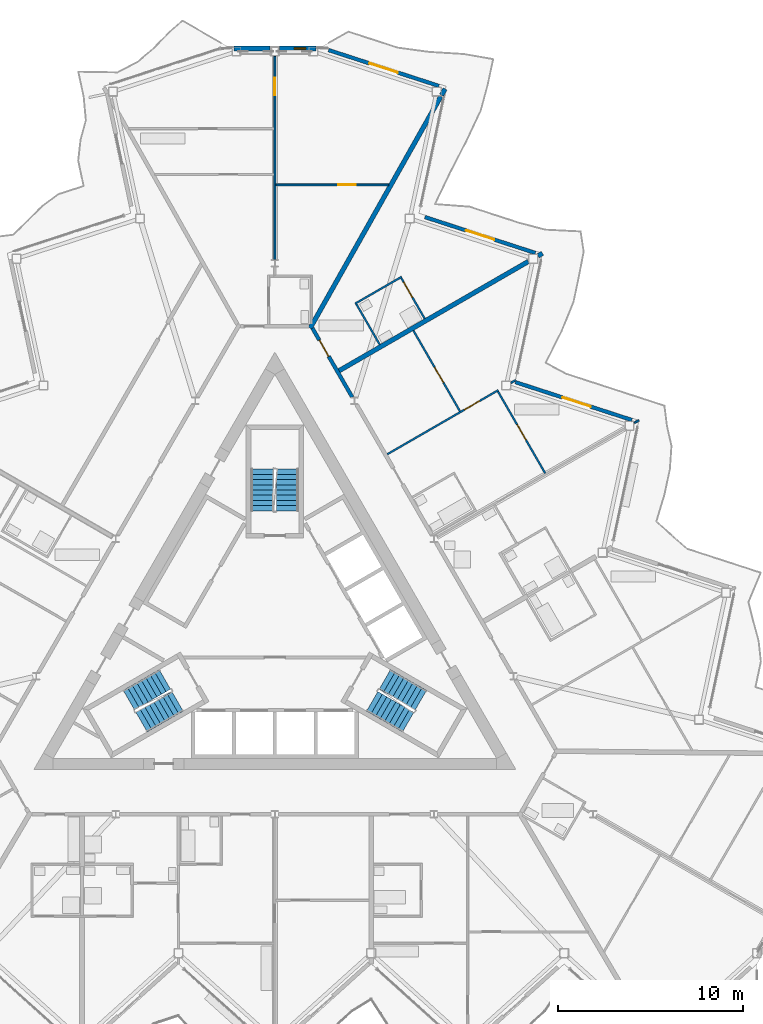
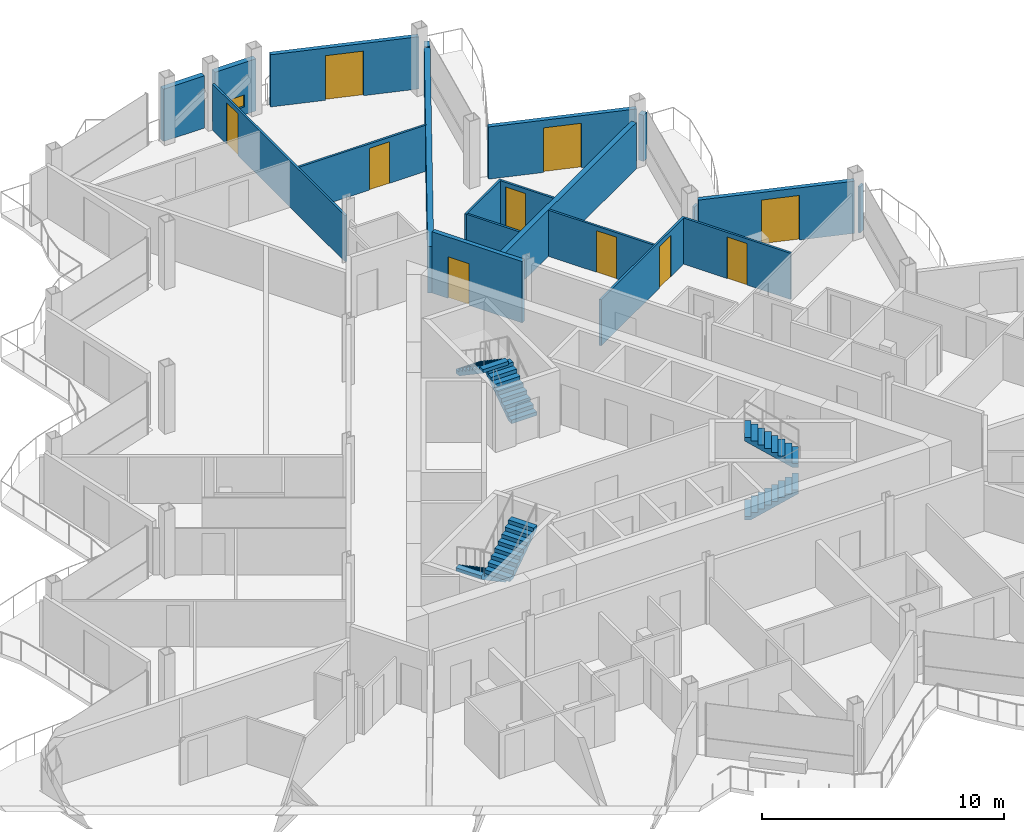
# One storey, part 18 of 26: 20 walls, 10 doors, 6 stair flights, 1 window, 11 openings, 3 elements without a shape of their own.
"""IFC4 building model written with IfcOpenShell, lengths in metres."""

from ifc_helpers import new_model, si_unit, direction, frame, frame_2d, origin, place, context, subcontext, project, spatial, polyline, rectangle, outline, extrude, material, layer, layer_set, type_object, element, fill, aggregate, save


model = new_model("IFC4")

# Units and contexts
model_context = context("Model", 3, precision=1e-05, world=origin(), true_north=direction((0.0, 1.0)))
body_context = subcontext(model_context, "Body", "Model", "MODEL_VIEW")
ifc_project = project(units=[si_unit("LENGTHUNIT", "METRE"), si_unit("AREAUNIT", "SQUARE_METRE"), si_unit("VOLUMEUNIT", "CUBIC_METRE"), si_unit("PLANEANGLEUNIT", "RADIAN"), si_unit("MASSUNIT", "GRAM", prefix="KILO")], contexts=[model_context])

# Site, building, storey
site_placement = place(None, origin())
site = spatial("IfcSite", under=ifc_project, at=site_placement, CompositionType="ELEMENT")
building_placement = place(site_placement, origin())
building = spatial("IfcBuilding", under=site, at=building_placement, Name="Cormorant Prow Tower", CompositionType="ELEMENT")
storey_placement = place(building_placement, frame((0.0, 0.0, 371.199951171875)))
storey = spatial("IfcBuildingStorey", under=building, at=storey_placement, Name="L83", CompositionType="ELEMENT", Elevation=371.199951171875)

# Wall, opening, door
ifc_material_1 = material(Name="Gypsum board corridor wall")
ifc_layer_1 = layer(ifc_material_1, 0.199951171875)
ifc_layer_set_1 = layer_set([ifc_layer_1], Name="Gypsum board corridor wall")
wall_type_1 = type_object("IfcWallType", Name="Corridor wall 200", PredefinedType="PARTITIONING", material=ifc_layer_set_1)
wall_1_placement = place(storey_placement, frame((2.025390625, 16.302978515625, 0.0), z_axis=(0.0, 0.0, 1.0), x_axis=(0.500004215162, -0.866022970146, 0.0)))
wall_1 = element("IfcWall", 1, at=wall_1_placement, inside=storey, type_object=wall_type_1, Name="Corridor wall", PredefinedType="PARTITIONING", context=body_context, shape_type="SweptSolid", body=[
    extrude(rectangle(XDim=4.30029296875, YDim=0.199951171875, at=frame_2d((2.150146484375, 0.0))), origin(), (0.0, 0.0, 1.0), 3.10009765625),
])
opening_1_placement = place(wall_1_placement, frame((0.75, 0.0, 0.0)))
opening_1 = element("IfcOpeningElement", 2, at=opening_1_placement, cuts=wall_1, Name="Opening L83-F35", PredefinedType="OPENING", context=body_context, shape_type="SweptSolid", body=[
    extrude(rectangle(XDim=1.0, YDim=2.10009765625, at=frame_2d((0.5, 1.050048828125))), frame((0.0, 0.10986328125, 0.0), z_axis=(0.0, -1.0, 0.0), x_axis=(1.0, 0.0, 0.0)), (0.0, 0.0, 1.0), 0.219970703125),
])
ifc_material_2 = material(Name="Timber door leaf", Category="wood")
door_type_1 = type_object("IfcDoorType", Name="Flat or room entrance door 1000x2100", OperationType="NOTDEFINED", PredefinedType="DOOR", material=ifc_material_2)
door_1_placement = place(opening_1_placement, origin())
door_1 = element("IfcDoor", 3, at=door_1_placement, inside=storey, type_object=door_type_1, Name="Studio living, kitchen and sleeping room door", OperationType="SINGLE_SWING_RIGHT", OverallHeight=2.10009765625, OverallWidth=1.0, PredefinedType="DOOR", context=body_context, shape_type="SweptSolid", body=[
    extrude(rectangle(XDim=1.0, YDim=2.10009765625, at=frame_2d((0.5, 1.050048828125))), frame((0.0, 0.02490234375, 0.0), z_axis=(0.0, -1.0, 0.0), x_axis=(1.0, 0.0, 0.0)), (0.0, 0.0, 1.0), 0.050048828125),
])
fill(opening_1, door_1)

ifc_material_3 = material(Name="Gypsum board partition")
ifc_layer_2 = layer(ifc_material_3, 0.10009765625)
ifc_layer_set_2 = layer_set([ifc_layer_2], Name="Gypsum board partition")
wall_type_2 = type_object("IfcWallType", Name="Internal partition 100", PredefinedType="PARTITIONING", material=ifc_layer_set_2)
wall_2_placement = place(storey_placement, frame((0.0, 20.008056640625, 0.0), z_axis=(0.0, 0.0, 1.0), x_axis=(0.0, 1.0, 0.0)))
wall_2 = element("IfcWall", 4, at=wall_2_placement, inside=storey, type_object=wall_type_2, Name="Internal partition", PredefinedType="PARTITIONING", context=body_context, shape_type="SweptSolid", body=[
    extrude(rectangle(XDim=10.951416015625, YDim=0.10009765625, at=frame_2d((5.4755859375, 0.0))), origin(), (0.0, 0.0, 1.0), 2.330078125),
])
opening_2_placement = place(wall_2_placement, frame((8.851318359375, 0.0, 0.0)))
opening_2 = element("IfcOpeningElement", 5, at=opening_2_placement, cuts=wall_2, Name="Opening L83-F41", PredefinedType="OPENING", context=body_context, shape_type="SweptSolid", body=[
    extrude(rectangle(XDim=0.949951171875, YDim=2.10009765625, at=frame_2d((0.47509765625, 1.050048828125))), frame((0.0, 0.06005859375, 0.0), z_axis=(0.0, -1.0, 0.0), x_axis=(1.0, 0.0, 0.0)), (0.0, 0.0, 1.0), 0.1201171875),
])
ifc_material_4 = material(Name="Timber door leaf", Category="wood")
door_type_2 = type_object("IfcDoorType", Name="Bathroom door 950x2100", OperationType="NOTDEFINED", PredefinedType="DOOR", material=ifc_material_4)
door_2_placement = place(opening_2_placement, origin())
door_2 = element("IfcDoor", 6, at=door_2_placement, inside=storey, type_object=door_type_2, Name="Dining room door", OperationType="SINGLE_SWING_RIGHT", OverallHeight=2.10009765625, OverallWidth=0.949951171875, PredefinedType="DOOR", context=body_context, shape_type="SweptSolid", body=[
    extrude(rectangle(XDim=0.949951171875, YDim=2.10009765625, at=frame_2d((0.47509765625, 1.050048828125))), frame((0.0, 0.02490234375, 0.0), z_axis=(0.0, -1.0, 0.0), x_axis=(1.0, 0.0, 0.0)), (0.0, 0.0, 1.0), 0.050048828125),
])
fill(opening_2, door_2)

wall_3_placement = place(storey_placement, frame((6.065185546875, 9.506103515625, 0.0), z_axis=(0.0, 0.0, 1.0), x_axis=(0.866029020252, 0.499993736042, 0.0)))
wall_3 = element("IfcWall", 7, at=wall_3_placement, inside=storey, type_object=wall_type_2, Name="Internal partition", PredefinedType="PARTITIONING", context=body_context, shape_type="SweptSolid", body=[
    extrude(rectangle(XDim=6.9072265625, YDim=0.10009765625, at=frame_2d((3.45361328125, 0.0))), origin(), (0.0, 0.0, 1.0), 2.330078125),
])
opening_3_placement = place(wall_3_placement, frame((4.7978515625, 0.0, 0.0)))
opening_3 = element("IfcOpeningElement", 8, at=opening_3_placement, cuts=wall_3, Name="Opening L83-F32", PredefinedType="OPENING", context=body_context, shape_type="SweptSolid", body=[
    extrude(rectangle(XDim=0.949951171875, YDim=2.10009765625, at=frame_2d((0.47509765625, 1.050048828125))), frame((0.0, 0.06005859375, 0.0), z_axis=(0.0, -1.0, 0.0), x_axis=(1.0, 0.0, 0.0)), (0.0, 0.0, 1.0), 0.1201171875),
])
door_3_placement = place(opening_3_placement, origin())
door_3 = element("IfcDoor", 9, at=door_3_placement, inside=storey, type_object=door_type_2, Name="Living room door", OperationType="SINGLE_SWING_LEFT", OverallHeight=2.10009765625, OverallWidth=0.949951171875, PredefinedType="DOOR", context=body_context, shape_type="SweptSolid", body=[
    extrude(rectangle(XDim=0.949951171875, YDim=2.10009765625, at=frame_2d((0.47509765625, 1.050048828125))), frame((0.0, 0.02490234375, 0.0), z_axis=(0.0, -1.0, 0.0), x_axis=(1.0, 0.0, 0.0)), (0.0, 0.0, 1.0), 0.050048828125),
])
fill(opening_3, door_3)

wall_4_placement = place(storey_placement, frame((0.050048828125, 24.03125, 0.0), z_axis=(0.0, 0.0, 1.0), x_axis=(1.0, 0.0, 0.0)))
wall_4 = element("IfcWall", 10, at=wall_4_placement, inside=storey, type_object=wall_type_2, Name="Internal partition", PredefinedType="PARTITIONING", context=body_context, shape_type="SweptSolid", body=[
    extrude(rectangle(XDim=6.085693359375, YDim=0.10009765625, at=frame_2d((3.04296875, 0.0))), origin(), (0.0, 0.0, 1.0), 2.330078125),
])
opening_4_placement = place(wall_4_placement, frame((3.3740234375, 0.0, 0.0)))
opening_4 = element("IfcOpeningElement", 11, at=opening_4_placement, cuts=wall_4, Name="Opening L83-F42", PredefinedType="OPENING", context=body_context, shape_type="SweptSolid", body=[
    extrude(rectangle(XDim=0.949951171875, YDim=2.10009765625, at=frame_2d((0.47509765625, 1.050048828125))), frame((0.0, 0.06005859375, 0.0), z_axis=(0.0, -1.0, 0.0), x_axis=(1.0, 0.0, 0.0)), (0.0, 0.0, 1.0), 0.1201171875),
])
door_4_placement = place(opening_4_placement, origin())
door_4 = element("IfcDoor", 12, at=door_4_placement, inside=storey, type_object=door_type_2, Name="Principal bedroom door", OperationType="SINGLE_SWING_RIGHT", OverallHeight=2.10009765625, OverallWidth=0.949951171875, PredefinedType="DOOR", context=body_context, shape_type="SweptSolid", body=[
    extrude(rectangle(XDim=0.949951171875, YDim=2.10009765625, at=frame_2d((0.47509765625, 1.050048828125))), frame((0.0, 0.02490234375, 0.0), z_axis=(0.0, -1.0, 0.0), x_axis=(1.0, 0.0, 0.0)), (0.0, 0.0, 1.0), 0.050048828125),
])
fill(opening_4, door_4)

wall_5_placement = place(storey_placement, frame((7.4677734375, 16.176025390625, 0.0), z_axis=(0.0, 0.0, 1.0), x_axis=(0.499990214365, -0.86603105345, 0.0)))
wall_5 = element("IfcWall", 13, at=wall_5_placement, inside=storey, type_object=wall_type_2, Name="Internal partition", PredefinedType="PARTITIONING", context=body_context, shape_type="SweptSolid", body=[
    extrude(rectangle(XDim=5.02490234375, YDim=0.10009765625, at=frame_2d((2.512451171875, 0.0))), origin(), (0.0, 0.0, 1.0), 2.330078125),
])
opening_5_placement = place(wall_5_placement, frame((2.29296875, 0.0, 0.0)))
opening_5 = element("IfcOpeningElement", 14, at=opening_5_placement, cuts=wall_5, Name="Opening L83-F33", PredefinedType="OPENING", context=body_context, shape_type="SweptSolid", body=[
    extrude(rectangle(XDim=0.949951171875, YDim=2.10009765625, at=frame_2d((0.47509765625, 1.050048828125))), frame((0.0, 0.06005859375, 0.0), z_axis=(0.0, -1.0, 0.0), x_axis=(1.0, 0.0, 0.0)), (0.0, 0.0, 1.0), 0.1201171875),
])
door_5_placement = place(opening_5_placement, origin())
door_5 = element("IfcDoor", 15, at=door_5_placement, inside=storey, type_object=door_type_2, Name="Bedroom door", OperationType="SINGLE_SWING_LEFT", OverallHeight=2.10009765625, OverallWidth=0.949951171875, PredefinedType="DOOR", context=body_context, shape_type="SweptSolid", body=[
    extrude(rectangle(XDim=0.949951171875, YDim=2.10009765625, at=frame_2d((0.47509765625, 1.050048828125))), frame((0.0, 0.02490234375, 0.0), z_axis=(0.0, -1.0, 0.0), x_axis=(1.0, 0.0, 0.0)), (0.0, 0.0, 1.0), 0.050048828125),
])
fill(opening_5, door_5)

wall_6_placement = place(storey_placement, frame((12.02880859375, 12.8916015625, 0.0), z_axis=(0.0, 0.0, 1.0), x_axis=(0.500005610874, -0.86602216432, 0.0)))
wall_6 = element("IfcWall", 16, at=wall_6_placement, inside=storey, type_object=wall_type_2, Name="Internal partition", PredefinedType="PARTITIONING", context=body_context, shape_type="SweptSolid", body=[
    extrude(rectangle(XDim=5.10009765625, YDim=0.10009765625, at=frame_2d((2.550048828125, 0.0))), origin(), (0.0, 0.0, 1.0), 2.330078125),
])
opening_6_placement = place(wall_6_placement, frame((2.074951171875, 0.0, 0.0)))
opening_6 = element("IfcOpeningElement", 17, at=opening_6_placement, cuts=wall_6, Name="Opening L83-F29", PredefinedType="OPENING", context=body_context, shape_type="SweptSolid", body=[
    extrude(rectangle(XDim=0.949951171875, YDim=2.10009765625, at=frame_2d((0.47509765625, 1.050048828125))), frame((0.0, 0.06005859375, 0.0), z_axis=(0.0, -1.0, 0.0), x_axis=(1.0, 0.0, 0.0)), (0.0, 0.0, 1.0), 0.1201171875),
])
door_6_placement = place(opening_6_placement, origin())
door_6 = element("IfcDoor", 18, at=door_6_placement, inside=storey, type_object=door_type_2, Name="Living room door", OperationType="SINGLE_SWING_RIGHT", OverallHeight=2.10009765625, OverallWidth=0.949951171875, PredefinedType="DOOR", context=body_context, shape_type="SweptSolid", body=[
    extrude(rectangle(XDim=0.949951171875, YDim=2.10009765625, at=frame_2d((0.47509765625, 1.050048828125))), frame((0.0, 0.02490234375, 0.0), z_axis=(0.0, -1.0, 0.0), x_axis=(1.0, 0.0, 0.0)), (0.0, 0.0, 1.0), 0.050048828125),
])
fill(opening_6, door_6)

# Wall
wall_7_placement = place(storey_placement, frame((4.323486328125, 17.622802734375, 0.0), z_axis=(0.0, 0.0, 1.0), x_axis=(0.866032775405, 0.499987231761, 0.0)))
element("IfcWall", 19, at=wall_7_placement, inside=storey, type_object=wall_type_2, Name="Internal partition", PredefinedType="PARTITIONING", context=body_context, shape_type="SweptSolid", body=[
    extrude(rectangle(XDim=2.89990234375, YDim=0.10009765625, at=frame_2d((1.449951171875, 0.0))), origin(), (0.0, 0.0, 1.0), 2.330078125),
])

# Wall, opening, door
wall_8_placement = place(storey_placement, frame((6.816650390625, 19.00439453125, 0.0), z_axis=(0.0, 0.0, 1.0), x_axis=(0.499976333282, -0.866039067339, 0.0)))
wall_8 = element("IfcWall", 20, at=wall_8_placement, inside=storey, type_object=wall_type_2, Name="Internal partition", PredefinedType="PARTITIONING", context=body_context, shape_type="SweptSolid", body=[
    extrude(rectangle(XDim=2.52490234375, YDim=0.10009765625, at=frame_2d((1.262451171875, 0.0))), origin(), (0.0, 0.0, 1.0), 2.330078125),
])
opening_7_placement = place(wall_8_placement, frame((0.25, 0.0, 0.0)))
opening_7 = element("IfcOpeningElement", 21, at=opening_7_placement, cuts=wall_8, Name="Opening L83-F36", PredefinedType="OPENING", context=body_context, shape_type="SweptSolid", body=[
    extrude(rectangle(XDim=0.949951171875, YDim=2.10009765625, at=frame_2d((0.47509765625, 1.050048828125))), frame((0.0, 0.06005859375, 0.0), z_axis=(0.0, -1.0, 0.0), x_axis=(1.0, 0.0, 0.0)), (0.0, 0.0, 1.0), 0.1201171875),
])
door_7_placement = place(opening_7_placement, origin())
door_7 = element("IfcDoor", 22, at=door_7_placement, inside=storey, type_object=door_type_2, Name="Studio living, kitchen and sleeping room door", OperationType="SINGLE_SWING_LEFT", OverallHeight=2.10009765625, OverallWidth=0.949951171875, PredefinedType="DOOR", context=body_context, shape_type="SweptSolid", body=[
    extrude(rectangle(XDim=0.949951171875, YDim=2.10009765625, at=frame_2d((0.47509765625, 1.050048828125))), frame((0.0, 0.02490234375, 0.0), z_axis=(0.0, -1.0, 0.0), x_axis=(1.0, 0.0, 0.0)), (0.0, 0.0, 1.0), 0.050048828125),
])
fill(opening_7, door_7)

# Walls
wall_9_placement = place(storey_placement, frame((4.3916015625, 17.6044921875, 0.0), z_axis=(0.0, 0.0, 1.0), x_axis=(0.500048846702, -0.865997200291, 0.0)))
element("IfcWall", 23, at=wall_9_placement, inside=storey, type_object=wall_type_2, Name="Internal partition", PredefinedType="PARTITIONING", context=body_context, shape_type="SweptSolid", body=[
    extrude(rectangle(XDim=2.525146484375, YDim=0.10009765625, at=frame_2d((1.2626953125, 0.0))), origin(), (0.0, 0.0, 1.0), 2.330078125),
])
wall_10_placement = place(storey_placement, frame((12.73388671875, 13.356201171875, 0.0), z_axis=(0.0, 0.0, 1.0), x_axis=(0.865687176694, 0.50058536945, 0.0)))
element("IfcWall", 24, at=wall_10_placement, inside=storey, type_object=wall_type_2, Name="Internal partition", PredefinedType="PARTITIONING", context=body_context, shape_type="SweptSolid", body=[
    extrude(rectangle(XDim=0.277587890625, YDim=0.10009765625, at=frame_2d((0.138671875, 0.0))), origin(), (0.0, 0.0, 1.0), 2.330078125),
])
wall_11_placement = place(storey_placement, frame((19.388671875, 11.194091796875, 0.0), z_axis=(0.0, 0.0, 1.0), x_axis=(0.866068339032, 0.499925626596, 0.0)))
element("IfcWall", 25, at=wall_11_placement, inside=storey, type_object=wall_type_2, Name="Internal partition", PredefinedType="PARTITIONING", context=body_context, shape_type="SweptSolid", body=[
    extrude(rectangle(XDim=0.27734375, YDim=0.10009765625, at=frame_2d((0.138671875, 0.0))), origin(), (0.0, 0.0, 1.0), 2.330078125),
])
ifc_material_5 = material(Name="Acoustic gypsum party wall")
ifc_layer_3 = layer(ifc_material_5, 0.25)
ifc_layer_set_3 = layer_set([ifc_layer_3], Name="Acoustic gypsum party wall")
wall_type_3 = type_object("IfcWallType", Name="Suite party wall 250", PredefinedType="PARTITIONING", material=ifc_layer_set_3)
wall_12_placement = place(storey_placement, frame((1.901611328125, 16.302001953125, 0.0), z_axis=(0.0, 0.0, 1.0), x_axis=(0.491233789602, 0.871027763021, 0.0)))
element("IfcWall", 26, at=wall_12_placement, inside=storey, type_object=wall_type_3, Name="Suite party wall", PredefinedType="PARTITIONING", context=body_context, shape_type="SweptSolid", body=[
    extrude(rectangle(XDim=14.34521484375, YDim=0.25, at=frame_2d((7.172607421875, 0.0))), origin(), (0.0, 0.0, 1.0), 2.330078125),
])
wall_13_placement = place(storey_placement, frame((3.465087890625, 14.009521484375, 0.0), z_axis=(0.0, 0.0, 1.0), x_axis=(0.866032376801, 0.499987922186, 0.0)))
element("IfcWall", 27, at=wall_13_placement, inside=storey, type_object=wall_type_3, Name="Suite party wall", PredefinedType="PARTITIONING", context=body_context, shape_type="SweptSolid", body=[
    extrude(rectangle(XDim=11.781982421875, YDim=0.25, at=frame_2d((5.89111328125, 0.0))), origin(), (0.0, 0.0, 1.0), 2.330078125),
])
wall_14_placement = place(storey_placement, frame((8.988525390625, 28.8681640625, 0.0), z_axis=(0.0, 0.0, 1.0), x_axis=(0.491394522511, 0.870937094885, 0.0)))
element("IfcWall", 28, at=wall_14_placement, inside=storey, type_object=wall_type_3, Name="Suite party wall", PredefinedType="PARTITIONING", context=body_context, shape_type="SweptSolid", body=[
    extrude(rectangle(XDim=0.388427734375, YDim=0.25, at=frame_2d((0.1943359375, 0.0))), origin(), (0.0, 0.0, 1.0), 2.330078125),
])
wall_15_placement = place(storey_placement, frame((14.188720703125, 20.20068359375, 0.0), z_axis=(0.0, 0.0, 1.0), x_axis=(0.865687176694, 0.50058536945, 0.0)))
element("IfcWall", 29, at=wall_15_placement, inside=storey, type_object=wall_type_3, Name="Suite party wall", PredefinedType="PARTITIONING", context=body_context, shape_type="SweptSolid", body=[
    extrude(rectangle(XDim=0.277587890625, YDim=0.25, at=frame_2d((0.138671875, 0.0))), origin(), (0.0, 0.0, 1.0), 2.330078125),
])

# Wall, opening, window
ifc_material_6 = material(Name="Terracotta", Category="masonry")
ifc_layer_4 = layer(ifc_material_6, 0.25)
ifc_layer_set_4 = layer_set([ifc_layer_4], Name="Terracotta")
wall_type_4 = type_object("IfcWallType", Name="Terracotta bay wall 250", PredefinedType="SOLIDWALL", material=ifc_layer_set_4)
wall_16_placement = place(storey_placement, frame((2.208251953125, 31.38330078125, 0.0), z_axis=(0.0, 0.0, 1.0), x_axis=(-1.0, 0.0, 0.0)))
wall_16 = element("IfcWall", 30, at=wall_16_placement, inside=storey, type_object=wall_type_4, Name="Terracotta bay wall N00", PredefinedType="SOLIDWALL", context=body_context, shape_type="SweptSolid", body=[
    extrude(rectangle(XDim=1.958251953125, YDim=0.25, at=frame_2d((0.97900390625, 0.0))), origin(), (0.0, 0.0, 1.0), 2.634033203125),
])
opening_8_placement = place(wall_16_placement, frame((0.550048828125, 0.0, 0.39990234375)))
opening_8 = element("IfcOpeningElement", 31, at=opening_8_placement, cuts=wall_16, Name="Opening WN10", PredefinedType="OPENING", context=body_context, shape_type="SweptSolid", body=[
    extrude(rectangle(XDim=0.60009765625, YDim=0.60009765625, at=frame_2d((0.300048828125, 0.300048828125))), frame((0.0, 0.135009765625, 0.0), z_axis=(0.0, -1.0, 0.0), x_axis=(1.0, 0.0, 0.0)), (0.0, 0.0, 1.0), 0.27001953125),
])
ifc_material_7 = material(Name="Aluminium 6063-T6", Category="aluminium")
window_type = type_object("IfcWindowType", Name="Corner bay window 600x600", PartitioningType="SINGLE_PANEL", PredefinedType="WINDOW", material=ifc_material_7)
window_placement = place(opening_8_placement, origin())
window = element("IfcWindow", 32, at=window_placement, inside=storey, type_object=window_type, Name="Corner bay window N00", OverallHeight=0.60009765625, OverallWidth=0.60009765625, PartitioningType="SINGLE_PANEL", PredefinedType="WINDOW", context=body_context, shape_type="SweptSolid", body=[
    extrude(rectangle(XDim=0.60009765625, YDim=0.60009765625, at=frame_2d((0.300048828125, 0.300048828125))), frame((0.0, 0.030029296875, 0.0), z_axis=(0.0, -1.0, 0.0), x_axis=(1.0, 0.0, 0.0)), (0.0, 0.0, 1.0), 0.06005859375),
])
fill(opening_8, window)

# Wall
wall_17_placement = place(storey_placement, frame((-0.25, 31.38330078125, 0.0), z_axis=(0.0, 0.0, 1.0), x_axis=(-1.0, 0.0, 0.0)))
element("IfcWall", 33, at=wall_17_placement, inside=storey, type_object=wall_type_4, Name="Terracotta bay wall N01", PredefinedType="SOLIDWALL", context=body_context, shape_type="SweptSolid", body=[
    extrude(rectangle(XDim=1.958251953125, YDim=0.25, at=frame_2d((0.97900390625, 0.0))), origin(), (0.0, 0.0, 1.0), 2.634033203125),
])

# Wall, opening, door
ifc_material_8 = material(Name="Terracotta", Category="masonry")
ifc_layer_5 = layer(ifc_material_8, 0.199951171875)
ifc_layer_set_5 = layer_set([ifc_layer_5], Name="Terracotta")
wall_type_5 = type_object("IfcWallType", Name="Terracotta jamb wall 200", PredefinedType="SOLIDWALL", material=ifc_layer_set_5)
wall_18_placement = place(storey_placement, frame((19.25, 11.350830078125, 0.0), z_axis=(0.0, 0.0, 1.0), x_axis=(-0.951060668786, 0.309004214029, 0.0)))
wall_18 = element("IfcWall", 34, at=wall_18_placement, inside=storey, type_object=wall_type_5, Name="Terracotta jamb wall ENE05", PredefinedType="SOLIDWALL", context=body_context, shape_type="SweptSolid", body=[
    extrude(rectangle(XDim=6.609130859375, YDim=0.199951171875, at=frame_2d((3.3046875, 0.0))), origin(), (0.0, 0.0, 1.0), 2.634033203125),
])
opening_9_placement = place(wall_18_placement, frame((2.332763671875, 0.0, 0.0)))
opening_9 = element("IfcOpeningElement", 35, at=opening_9_placement, cuts=wall_18, Name="Opening ED83.08", PredefinedType="OPENING", context=body_context, shape_type="SweptSolid", body=[
    extrude(rectangle(XDim=1.60009765625, YDim=2.25, at=frame_2d((0.800048828125, 1.125))), frame((0.0, 0.10986328125, 0.0), z_axis=(0.0, -1.0, 0.0), x_axis=(1.0, 0.0, 0.0)), (0.0, 0.0, 1.0), 0.219970703125),
])
ifc_material_9 = material(Name="Aluminium 6063-T6", Category="aluminium")
door_type_3 = type_object("IfcDoorType", Name="Balcony door 1600x2250", OperationType="DOUBLE_DOOR_SINGLE_SWING", PredefinedType="DOOR", material=ifc_material_9)
door_8_placement = place(opening_9_placement, origin())
door_8 = element("IfcDoor", 36, at=door_8_placement, inside=storey, type_object=door_type_3, Name="Balcony door ENE05 ED83.08", OperationType="DOUBLE_DOOR_SINGLE_SWING", OverallHeight=2.25, OverallWidth=1.60009765625, PredefinedType="DOOR", context=body_context, shape_type="SweptSolid", body=[
    extrude(rectangle(XDim=1.60009765625, YDim=2.25, at=frame_2d((0.800048828125, 1.125))), frame((0.0, 0.02490234375, 0.0), z_axis=(0.0, -1.0, 0.0), x_axis=(1.0, 0.0, 0.0)), (0.0, 0.0, 1.0), 0.050048828125),
])
fill(opening_9, door_8)

wall_19_placement = place(storey_placement, frame((14.050048828125, 20.357421875, 0.0), z_axis=(0.0, 0.0, 1.0), x_axis=(-0.951060123915, 0.309005891041, 0.0)))
wall_19 = element("IfcWall", 37, at=wall_19_placement, inside=storey, type_object=wall_type_5, Name="Terracotta jamb wall ENE07", PredefinedType="SOLIDWALL", context=body_context, shape_type="SweptSolid", body=[
    extrude(rectangle(XDim=6.265380859375, YDim=0.199951171875, at=frame_2d((3.1328125, 0.0))), origin(), (0.0, 0.0, 1.0), 2.634033203125),
])
opening_10_placement = place(wall_19_placement, frame((2.332763671875, 0.0, 0.0)))
opening_10 = element("IfcOpeningElement", 38, at=opening_10_placement, cuts=wall_19, Name="Opening ED83.09", PredefinedType="OPENING", context=body_context, shape_type="SweptSolid", body=[
    extrude(rectangle(XDim=1.60009765625, YDim=2.25, at=frame_2d((0.800048828125, 1.125))), frame((0.0, 0.10986328125, 0.0), z_axis=(0.0, -1.0, 0.0), x_axis=(1.0, 0.0, 0.0)), (0.0, 0.0, 1.0), 0.219970703125),
])
door_9_placement = place(opening_10_placement, origin())
door_9 = element("IfcDoor", 39, at=door_9_placement, inside=storey, type_object=door_type_3, Name="Balcony door ENE07 ED83.09", OperationType="DOUBLE_DOOR_SINGLE_SWING", OverallHeight=2.25, OverallWidth=1.60009765625, PredefinedType="DOOR", context=body_context, shape_type="SweptSolid", body=[
    extrude(rectangle(XDim=1.60009765625, YDim=2.25, at=frame_2d((0.800048828125, 1.125))), frame((0.0, 0.02490234375, 0.0), z_axis=(0.0, -1.0, 0.0), x_axis=(1.0, 0.0, 0.0)), (0.0, 0.0, 1.0), 0.050048828125),
])
fill(opening_10, door_9)

wall_20_placement = place(storey_placement, frame((8.85009765625, 29.364013671875, 0.0), z_axis=(0.0, 0.0, 1.0), x_axis=(-0.951048671744, 0.309041136379, 0.0)))
wall_20 = element("IfcWall", 40, at=wall_20_placement, inside=storey, type_object=wall_type_5, Name="Terracotta jamb wall ENE09", PredefinedType="SOLIDWALL", context=body_context, shape_type="SweptSolid", body=[
    extrude(rectangle(XDim=6.265380859375, YDim=0.199951171875, at=frame_2d((3.1328125, 0.0))), origin(), (0.0, 0.0, 1.0), 2.634033203125),
])
opening_11_placement = place(wall_20_placement, frame((2.332763671875, 0.0, 0.0)))
opening_11 = element("IfcOpeningElement", 41, at=opening_11_placement, cuts=wall_20, Name="Opening ED83.10", PredefinedType="OPENING", context=body_context, shape_type="SweptSolid", body=[
    extrude(rectangle(XDim=1.60009765625, YDim=2.25, at=frame_2d((0.800048828125, 1.125))), frame((0.0, 0.10986328125, 0.0), z_axis=(0.0, -1.0, 0.0), x_axis=(1.0, 0.0, 0.0)), (0.0, 0.0, 1.0), 0.219970703125),
])
door_10_placement = place(opening_11_placement, origin())
door_10 = element("IfcDoor", 42, at=door_10_placement, inside=storey, type_object=door_type_3, Name="Balcony door ENE09 ED83.10", OperationType="DOUBLE_DOOR_SINGLE_SWING", OverallHeight=2.25, OverallWidth=1.60009765625, PredefinedType="DOOR", context=body_context, shape_type="SweptSolid", body=[
    extrude(rectangle(XDim=1.60009765625, YDim=2.25, at=frame_2d((0.800048828125, 1.125))), frame((0.0, 0.02490234375, 0.0), z_axis=(0.0, -1.0, 0.0), x_axis=(1.0, 0.0, 0.0)), (0.0, 0.0, 1.0), 0.050048828125),
])
fill(opening_11, door_10)

# Stair, stair flights
ifc_material_10 = material(Name="Exit stair 18 risers")
stair_type = type_object("IfcStairType", Name="Exit stair 18 risers", PredefinedType="HALF_TURN_STAIR", material=ifc_material_10)
stair_1_placement = place(storey_placement, origin())
stair_1 = element("IfcStair", 43, at=stair_1_placement, inside=storey, type_object=stair_type, Name="L83 Exit stair ST1", PredefinedType="HALF_TURN_STAIR")
ifc_material_11 = material(Name="Concrete 5000 psi", Category="concrete")
stair_flight_type = type_object("IfcStairFlightType", Name="Stair flight 1219", PredefinedType="STRAIGHT", material=ifc_material_11)
stair_flight_1_placement = place(storey_placement, frame((-5.93310546875, -2.635009765625, 0.0), z_axis=(0.0, 0.0, 1.0), x_axis=(-0.866025403784, -0.5, 0.0)))
stair_flight_1 = element("IfcStairFlight", 44, at=stair_flight_1_placement, type_object=stair_flight_type, Name="ST1 flight 1", NumberOfRisers=9, NumberOfTreads=8, PredefinedType="STRAIGHT", RiserHeight=0.188888889, TreadLength=0.28, context=body_context, shape_type="SweptSolid", body=[
    extrude(outline(polyline([(0.0, 0.0), (0.0, 0.18896484375), (0.280029296875, 0.18896484375), (0.280029296875, 0.377685546875), (0.56005859375, 0.377685546875), (0.56005859375, 0.566650390625), (0.840087890625, 0.566650390625), (0.840087890625, 0.755615234375), (1.1201171875, 0.755615234375), (1.1201171875, 0.9443359375), (1.39990234375, 0.9443359375), (1.39990234375, 1.13330078125), (1.679931640625, 1.13330078125), (1.679931640625, 1.322265625), (1.9599609375, 1.322265625), (1.9599609375, 1.51123046875), (2.239990234375, 1.51123046875), (2.239990234375, 1.699951171875), (2.239990234375, 1.330322265625), (0.26806640625, 0.0), (0.0, 0.0)])), frame((0.0, 0.609375, 0.0), z_axis=(0.0, -1.0, 0.0), x_axis=(1.0, 0.0, 0.0)), (0.0, 0.0, 1.0), 1.218994140625),
])
stair_flight_2_placement = place(storey_placement, frame((-7.1884765625, -4.940673828125, 1.699951171875), z_axis=(0.0, 0.0, 1.0), x_axis=(0.866025403784, 0.5, 0.0)))
stair_flight_2 = element("IfcStairFlight", 45, at=stair_flight_2_placement, type_object=stair_flight_type, Name="ST1 flight 2", NumberOfRisers=9, NumberOfTreads=8, PredefinedType="STRAIGHT", RiserHeight=0.188888889, TreadLength=0.28, context=body_context, shape_type="SweptSolid", body=[
    extrude(outline(polyline([(0.0, 0.0), (0.0, 0.18896484375), (0.280029296875, 0.18896484375), (0.280029296875, 0.377685546875), (0.56005859375, 0.377685546875), (0.56005859375, 0.566650390625), (0.840087890625, 0.566650390625), (0.840087890625, 0.755615234375), (1.1201171875, 0.755615234375), (1.1201171875, 0.9443359375), (1.39990234375, 0.9443359375), (1.39990234375, 1.13330078125), (1.679931640625, 1.13330078125), (1.679931640625, 1.322265625), (1.9599609375, 1.322265625), (1.9599609375, 1.51123046875), (2.239990234375, 1.51123046875), (2.239990234375, 1.699951171875), (2.239990234375, 1.330322265625), (0.26806640625, 0.0), (0.0, 0.0)])), frame((0.0, 0.609375, 0.0), z_axis=(0.0, -1.0, 0.0), x_axis=(1.0, 0.0, 0.0)), (0.0, 0.0, 1.0), 1.218994140625),
])
aggregate(stair_1, [stair_flight_1, stair_flight_2])

stair_2_placement = place(storey_placement, origin())
stair_2 = element("IfcStair", 46, at=stair_2_placement, inside=storey, type_object=stair_type, Name="L83 Exit stair ST2", PredefinedType="HALF_TURN_STAIR")
stair_flight_3_placement = place(storey_placement, frame((5.24853515625, -3.82080078125, 0.0), z_axis=(0.0, 0.0, 1.0), x_axis=(0.866025403784, -0.5, 0.0)))
stair_flight_3 = element("IfcStairFlight", 47, at=stair_flight_3_placement, type_object=stair_flight_type, Name="ST2 flight 1", NumberOfRisers=9, NumberOfTreads=8, PredefinedType="STRAIGHT", RiserHeight=0.188888889, TreadLength=0.28, context=body_context, shape_type="SweptSolid", body=[
    extrude(outline(polyline([(0.0, 0.0), (0.0, 0.18896484375), (0.280029296875, 0.18896484375), (0.280029296875, 0.377685546875), (0.56005859375, 0.377685546875), (0.56005859375, 0.566650390625), (0.840087890625, 0.566650390625), (0.840087890625, 0.755615234375), (1.1201171875, 0.755615234375), (1.1201171875, 0.9443359375), (1.39990234375, 0.9443359375), (1.39990234375, 1.13330078125), (1.679931640625, 1.13330078125), (1.679931640625, 1.322265625), (1.9599609375, 1.322265625), (1.9599609375, 1.51123046875), (2.239990234375, 1.51123046875), (2.239990234375, 1.699951171875), (2.239990234375, 1.330322265625), (0.26806640625, 0.0), (0.0, 0.0)])), frame((0.0, 0.609375, 0.0), z_axis=(0.0, -1.0, 0.0), x_axis=(1.0, 0.0, 0.0)), (0.0, 0.0, 1.0), 1.218994140625),
])
stair_flight_4_placement = place(storey_placement, frame((7.873046875, -3.755126953125, 1.699951171875), z_axis=(0.0, 0.0, 1.0), x_axis=(-0.866025403784, 0.5, 0.0)))
stair_flight_4 = element("IfcStairFlight", 48, at=stair_flight_4_placement, type_object=stair_flight_type, Name="ST2 flight 2", NumberOfRisers=9, NumberOfTreads=8, PredefinedType="STRAIGHT", RiserHeight=0.188888889, TreadLength=0.28, context=body_context, shape_type="SweptSolid", body=[
    extrude(outline(polyline([(0.0, 0.0), (0.0, 0.18896484375), (0.280029296875, 0.18896484375), (0.280029296875, 0.377685546875), (0.56005859375, 0.377685546875), (0.56005859375, 0.566650390625), (0.840087890625, 0.566650390625), (0.840087890625, 0.755615234375), (1.1201171875, 0.755615234375), (1.1201171875, 0.9443359375), (1.39990234375, 0.9443359375), (1.39990234375, 1.13330078125), (1.679931640625, 1.13330078125), (1.679931640625, 1.322265625), (1.9599609375, 1.322265625), (1.9599609375, 1.51123046875), (2.239990234375, 1.51123046875), (2.239990234375, 1.699951171875), (2.239990234375, 1.330322265625), (0.26806640625, 0.0), (0.0, 0.0)])), frame((0.0, 0.609375, 0.0), z_axis=(0.0, -1.0, 0.0), x_axis=(1.0, 0.0, 0.0)), (0.0, 0.0, 1.0), 1.218994140625),
])
aggregate(stair_2, [stair_flight_3, stair_flight_4])

stair_3_placement = place(storey_placement, origin())
stair_3 = element("IfcStair", 49, at=stair_3_placement, inside=storey, type_object=stair_type, Name="L83 Exit stair ST3", PredefinedType="HALF_TURN_STAIR")
stair_flight_5_placement = place(storey_placement, frame((0.6845703125, 6.455810546875, 0.0), z_axis=(0.0, 0.0, 1.0), x_axis=(0.0, 1.0, 0.0)))
stair_flight_5 = element("IfcStairFlight", 50, at=stair_flight_5_placement, type_object=stair_flight_type, Name="ST3 flight 1", NumberOfRisers=9, NumberOfTreads=8, PredefinedType="STRAIGHT", RiserHeight=0.188888889, TreadLength=0.28, context=body_context, shape_type="SweptSolid", body=[
    extrude(outline(polyline([(0.0, 0.0), (0.0, 0.18896484375), (0.280029296875, 0.18896484375), (0.280029296875, 0.377685546875), (0.56005859375, 0.377685546875), (0.56005859375, 0.566650390625), (0.840087890625, 0.566650390625), (0.840087890625, 0.755615234375), (1.1201171875, 0.755615234375), (1.1201171875, 0.9443359375), (1.39990234375, 0.9443359375), (1.39990234375, 1.13330078125), (1.679931640625, 1.13330078125), (1.679931640625, 1.322265625), (1.9599609375, 1.322265625), (1.9599609375, 1.51123046875), (2.239990234375, 1.51123046875), (2.239990234375, 1.699951171875), (2.239990234375, 1.330322265625), (0.26806640625, 0.0), (0.0, 0.0)])), frame((0.0, 0.609375, 0.0), z_axis=(0.0, -1.0, 0.0), x_axis=(1.0, 0.0, 0.0)), (0.0, 0.0, 1.0), 1.218994140625),
])
stair_flight_6_placement = place(storey_placement, frame((-0.6845703125, 8.69580078125, 1.699951171875), z_axis=(0.0, 0.0, 1.0), x_axis=(0.0, -1.0, 0.0)))
stair_flight_6 = element("IfcStairFlight", 51, at=stair_flight_6_placement, type_object=stair_flight_type, Name="ST3 flight 2", NumberOfRisers=9, NumberOfTreads=8, PredefinedType="STRAIGHT", RiserHeight=0.188888889, TreadLength=0.28, context=body_context, shape_type="SweptSolid", body=[
    extrude(outline(polyline([(0.0, 0.0), (0.0, 0.18896484375), (0.280029296875, 0.18896484375), (0.280029296875, 0.377685546875), (0.56005859375, 0.377685546875), (0.56005859375, 0.566650390625), (0.840087890625, 0.566650390625), (0.840087890625, 0.755615234375), (1.1201171875, 0.755615234375), (1.1201171875, 0.9443359375), (1.39990234375, 0.9443359375), (1.39990234375, 1.13330078125), (1.679931640625, 1.13330078125), (1.679931640625, 1.322265625), (1.9599609375, 1.322265625), (1.9599609375, 1.51123046875), (2.239990234375, 1.51123046875), (2.239990234375, 1.699951171875), (2.239990234375, 1.330322265625), (0.26806640625, 0.0), (0.0, 0.0)])), frame((0.0, 0.609375, 0.0), z_axis=(0.0, -1.0, 0.0), x_axis=(1.0, 0.0, 0.0)), (0.0, 0.0, 1.0), 1.218994140625),
])
aggregate(stair_3, [stair_flight_5, stair_flight_6])

save(model, "model.ifc")
